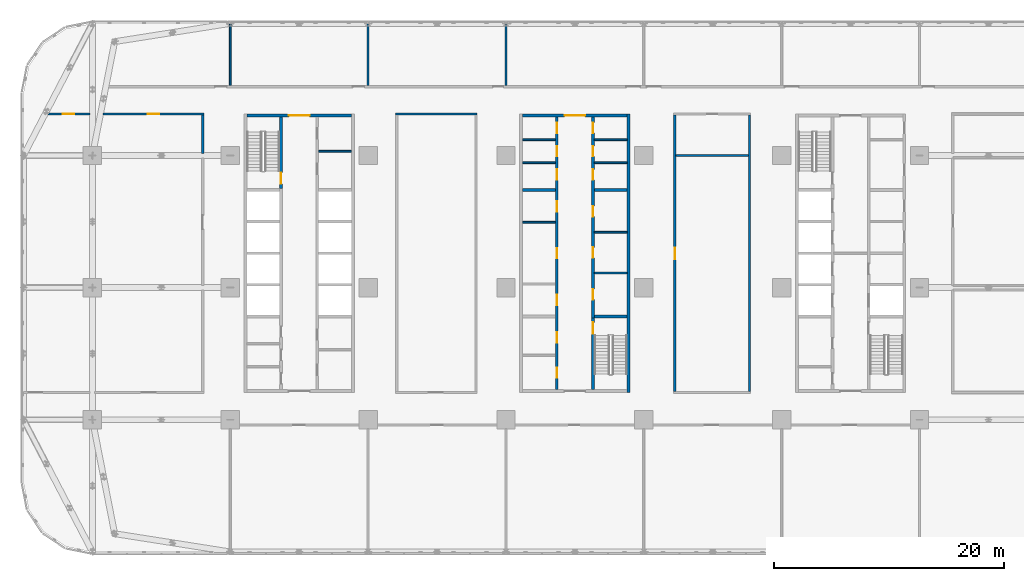
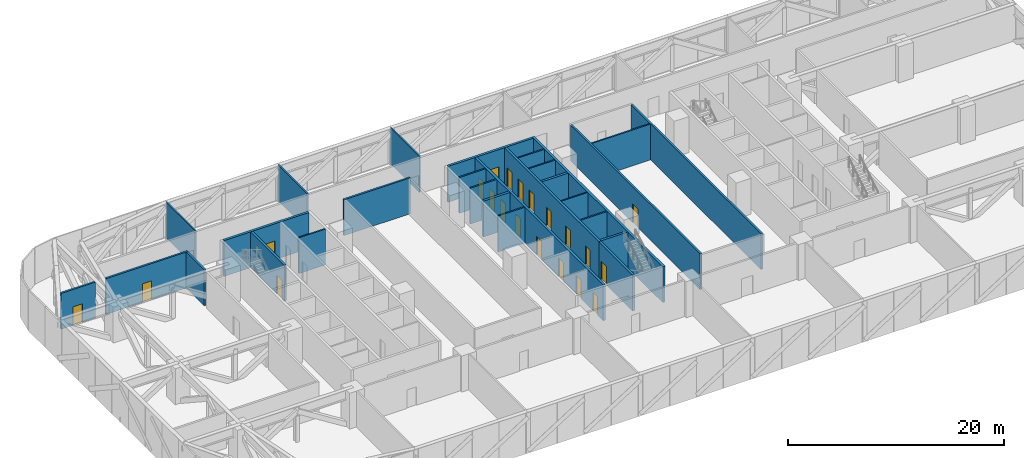
# One storey, part 9 of 25: 28 walls, 21 doors, 21 openings.
"""IFC4 building model written with IfcOpenShell, lengths in metres."""

from ifc_helpers import new_model, si_unit, direction, frame, frame_2d, origin, place, context, subcontext, project, spatial, rectangle, extrude, material, layer, layer_set, type_object, element, fill, save


model = new_model("IFC4")

# Units and contexts
model_context = context("Model", 3, precision=1e-05, world=origin(), true_north=direction((0.0, 1.0)))
body_context = subcontext(model_context, "Body", "Model", "MODEL_VIEW")
ifc_project = project(units=[si_unit("LENGTHUNIT", "METRE"), si_unit("AREAUNIT", "SQUARE_METRE"), si_unit("VOLUMEUNIT", "CUBIC_METRE"), si_unit("PLANEANGLEUNIT", "RADIAN"), si_unit("MASSUNIT", "GRAM", prefix="KILO")], contexts=[model_context])

# Site, building, storey
site_placement = place(None, origin())
site = spatial("IfcSite", under=ifc_project, at=site_placement, CompositionType="ELEMENT")
building_placement = place(site_placement, origin())
building = spatial("IfcBuilding", under=site, at=building_placement, Name="Mahtab Terrace Research Tower", CompositionType="ELEMENT")
storey_placement = place(building_placement, frame((0.0, 0.0, 41.60009765625)))
storey = spatial("IfcBuildingStorey", under=building, at=storey_placement, Name="L09", CompositionType="ELEMENT", Elevation=41.60009765625)

# Walls
ifc_material_1 = material(Name="Gypsum board partition")
ifc_layer_1 = layer(ifc_material_1, 0.14990234375)
ifc_layer_set_1 = layer_set([ifc_layer_1], Name="Core partition 150")
wall_type_1 = type_object("IfcWallType", Name="Core partition 150", PredefinedType="PARTITIONING", material=ifc_layer_set_1)
for number, where, z_axis, x_axis, name in (
    (1, (-22.300048828125, 11.875, 0.0), (0.0, 0.0, 1.0), (1.0, 0.0, 0.0), "Core wall A pEN888"),
    (2, (-4.550048828125, 5.6875, 0.0), (0.0, 0.0, 1.0), (1.0, 0.0, 0.0), "Core wall B pWL269"),
    (3, (1.699951171875, 1.280029296875, 0.0), (0.0, 0.0, 1.0), (1.0, 0.0, 0.0), "Core wall B pEL-172"),
    (4, (1.699951171875, 4.827392578125, 0.0), (0.0, 0.0, 1.0), (1.0, 0.0, 0.0), "Core wall B pEL183"),
    (5, (-4.550048828125, 10.875, 0.0), (0.0, 0.0, 1.0), (1.0, 0.0, 0.0), "Core wall B pWN788"),
    (6, (-4.550048828125, 12.875, 0.0), (0.0, 0.0, 1.0), (1.0, 0.0, 0.0), "Core wall B pWN988"),
    (7, (1.699951171875, 10.875, 0.0), (0.0, 0.0, 1.0), (1.0, 0.0, 0.0), "Core wall B pEN788"),
    (8, (1.699951171875, 12.875, 0.0), (0.0, 0.0, 1.0), (1.0, 0.0, 0.0), "Core wall B pEN988"),
):
    element("IfcWall", number, at=place(storey_placement, frame(where, z_axis=z_axis, x_axis=x_axis)), inside=storey, type_object=wall_type_1, Name=name, PredefinedType="PARTITIONING", context=body_context, shape_type="SweptSolid", body=[
        extrude(rectangle(XDim=2.85009765625, YDim=0.14990234375, at=frame_2d((1.425048828125, 0.0))), origin(), (0.0, 0.0, 1.0), 4.059814453125),
    ])

# Wall, opening, door
ifc_material_2 = material(Name="Concrete C70/85", Category="concrete")
ifc_layer_2 = layer(ifc_material_2, 0.25)
ifc_layer_set_2 = layer_set([ifc_layer_2], Name="Core wall 250")
wall_type_2 = type_object("IfcWallType", Name="Core wall 250", PredefinedType="SOLIDWALL", material=ifc_layer_set_2)
wall_1_placement = place(storey_placement, frame((-28.550048828125, 15.0, 0.0), z_axis=(0.0, 0.0, 1.0), x_axis=(1.0, 0.0, 0.0)))
wall_1 = element("IfcWall", 9, at=wall_1_placement, inside=storey, type_object=wall_type_2, Name="Core wall A endN", PredefinedType="SOLIDWALL", context=body_context, shape_type="SweptSolid", body=[
    extrude(rectangle(XDim=9.10009765625, YDim=0.25, at=frame_2d((4.550048828125, 0.0))), origin(), (0.0, 0.0, 1.0), 4.059814453125),
])
opening_1_placement = place(wall_1_placement, frame((3.64990234375, 0.0, 0.0)))
opening_1 = element("IfcOpeningElement", 10, at=opening_1_placement, cuts=wall_1, Name="Opening A-N1", PredefinedType="OPENING", context=body_context, shape_type="SweptSolid", body=[
    extrude(rectangle(XDim=1.800048828125, YDim=2.10009765625, at=frame_2d((0.89990234375, 1.050048828125))), frame((0.0, 0.135009765625, 0.0), z_axis=(0.0, -1.0, 0.0), x_axis=(1.0, 0.0, 0.0)), (0.0, 0.0, 1.0), 0.27001953125),
])
ifc_material_3 = material(Name="Steel fire door", Category="steel")
door_type_1 = type_object("IfcDoorType", Name="Lobby double door 1800x2100 1 HR", OperationType="DOUBLE_DOOR_SINGLE_SWING", PredefinedType="DOOR", material=ifc_material_3)
door_1_placement = place(opening_1_placement, origin())
door_1 = element("IfcDoor", 11, at=door_1_placement, inside=storey, type_object=door_type_1, Name="Core entrance door A N", OperationType="DOUBLE_DOOR_SINGLE_SWING", OverallHeight=2.10009765625, OverallWidth=1.800048828125, PredefinedType="DOOR", context=body_context, shape_type="SweptSolid", body=[
    extrude(rectangle(XDim=1.800048828125, YDim=2.10009765625, at=frame_2d((0.89990234375, 1.050048828125))), frame((0.0, 0.02490234375, 0.0), z_axis=(0.0, -1.0, 0.0), x_axis=(1.0, 0.0, 0.0)), (0.0, 0.0, 1.0), 0.050048828125),
])
fill(opening_1, door_1)

wall_2_placement = place(storey_placement, frame((-25.574951171875, 14.875, 0.0), z_axis=(0.0, 0.0, 1.0), x_axis=(0.0, -1.0, 0.0)))
wall_2 = element("IfcWall", 12, at=wall_2_placement, inside=storey, type_object=wall_type_2, Name="Core wall A innerWN", PredefinedType="SOLIDWALL", context=body_context, shape_type="SweptSolid", body=[
    extrude(rectangle(XDim=6.25, YDim=0.25, at=frame_2d((3.125, 0.0))), origin(), (0.0, 0.0, 1.0), 4.059814453125),
])
opening_2_placement = place(wall_2_placement, frame((4.85009765625, 0.0, 0.0)))
opening_2 = element("IfcOpeningElement", 13, at=opening_2_placement, cuts=wall_2, Name="Opening A-ST1", PredefinedType="OPENING", context=body_context, shape_type="SweptSolid", body=[
    extrude(rectangle(XDim=1.0, YDim=2.10009765625, at=frame_2d((0.5, 1.050048828125))), frame((0.0, 0.135009765625, 0.0), z_axis=(0.0, -1.0, 0.0), x_axis=(1.0, 0.0, 0.0)), (0.0, 0.0, 1.0), 0.27001953125),
])
door_type_2 = type_object("IfcDoorType", Name="Stair door 1000x2100 1.5 HR", OperationType="NOTDEFINED", PredefinedType="DOOR", material=ifc_material_3)
door_2_placement = place(opening_2_placement, origin())
door_2 = element("IfcDoor", 14, at=door_2_placement, inside=storey, type_object=door_type_2, Name="Stair door ST1 L09", OperationType="SINGLE_SWING_RIGHT", OverallHeight=2.10009765625, OverallWidth=1.0, PredefinedType="DOOR", context=body_context, shape_type="SweptSolid", body=[
    extrude(rectangle(XDim=1.0, YDim=2.10009765625, at=frame_2d((0.5, 1.050048828125))), frame((0.0, 0.02490234375, 0.0), z_axis=(0.0, -1.0, 0.0), x_axis=(1.0, 0.0, 0.0)), (0.0, 0.0, 1.0), 0.050048828125),
])
fill(opening_2, door_2)

# Wall
wall_3_placement = place(storey_placement, frame((4.675048828125, -9.125, 0.0), z_axis=(0.0, 0.0, 1.0), x_axis=(0.0, 1.0, 0.0)))
element("IfcWall", 15, at=wall_3_placement, inside=storey, type_object=wall_type_2, Name="Core wall B outerE", PredefinedType="SOLIDWALL", context=body_context, shape_type="SweptSolid", body=[
    extrude(rectangle(XDim=24.25, YDim=0.25, at=frame_2d((12.125, 0.0))), origin(), (0.0, 0.0, 1.0), 4.059814453125),
])

# Wall, opening, door
wall_4_placement = place(storey_placement, frame((-4.550048828125, 15.0, 0.0), z_axis=(0.0, 0.0, 1.0), x_axis=(1.0, 0.0, 0.0)))
wall_4 = element("IfcWall", 16, at=wall_4_placement, inside=storey, type_object=wall_type_2, Name="Core wall B endN", PredefinedType="SOLIDWALL", context=body_context, shape_type="SweptSolid", body=[
    extrude(rectangle(XDim=9.10009765625, YDim=0.25, at=frame_2d((4.550048828125, 0.0))), origin(), (0.0, 0.0, 1.0), 4.059814453125),
])
opening_3_placement = place(wall_4_placement, frame((3.64990234375, 0.0, 0.0)))
opening_3 = element("IfcOpeningElement", 17, at=opening_3_placement, cuts=wall_4, Name="Opening B-N1", PredefinedType="OPENING", context=body_context, shape_type="SweptSolid", body=[
    extrude(rectangle(XDim=1.800048828125, YDim=2.10009765625, at=frame_2d((0.89990234375, 1.050048828125))), frame((0.0, 0.135009765625, 0.0), z_axis=(0.0, -1.0, 0.0), x_axis=(1.0, 0.0, 0.0)), (0.0, 0.0, 1.0), 0.27001953125),
])
door_3_placement = place(opening_3_placement, origin())
door_3 = element("IfcDoor", 18, at=door_3_placement, inside=storey, type_object=door_type_1, Name="Core entrance door B N", OperationType="DOUBLE_DOOR_SINGLE_SWING", OverallHeight=2.10009765625, OverallWidth=1.800048828125, PredefinedType="DOOR", context=body_context, shape_type="SweptSolid", body=[
    extrude(rectangle(XDim=1.800048828125, YDim=2.10009765625, at=frame_2d((0.89990234375, 1.050048828125))), frame((0.0, 0.02490234375, 0.0), z_axis=(0.0, -1.0, 0.0), x_axis=(1.0, 0.0, 0.0)), (0.0, 0.0, 1.0), 0.050048828125),
])
fill(opening_3, door_3)

# Wall, openings, doors
wall_5_placement = place(storey_placement, frame((-1.574951171875, -8.875, 0.0), z_axis=(0.0, 0.0, 1.0), x_axis=(0.0, 1.0, 0.0)))
wall_5 = element("IfcWall", 19, at=wall_5_placement, inside=storey, type_object=wall_type_2, Name="Core wall B innerWSLN", PredefinedType="SOLIDWALL", context=body_context, shape_type="SweptSolid", body=[
    extrude(rectangle(XDim=23.75, YDim=0.25, at=frame_2d((11.875, 0.0))), origin(), (0.0, 0.0, 1.0), 4.059814453125),
])
opening_4_placement = place(wall_5_placement, frame((7.356201171875, 0.0, 0.0)))
opening_4 = element("IfcOpeningElement", 20, at=opening_4_placement, cuts=wall_5, Name="Opening B-R1", PredefinedType="OPENING", context=body_context, shape_type="SweptSolid", body=[
    extrude(rectangle(XDim=0.89990234375, YDim=2.10009765625, at=frame_2d((0.449951171875, 1.050048828125))), frame((0.0, 0.135009765625, 0.0), z_axis=(0.0, -1.0, 0.0), x_axis=(1.0, 0.0, 0.0)), (0.0, 0.0, 1.0), 0.27001953125),
])
opening_5_placement = place(wall_5_placement, frame((11.425048828125, 0.0, 0.0)))
opening_5 = element("IfcOpeningElement", 21, at=opening_5_placement, cuts=wall_5, Name="Opening B-R2", PredefinedType="OPENING", context=body_context, shape_type="SweptSolid", body=[
    extrude(rectangle(XDim=0.89990234375, YDim=2.10009765625, at=frame_2d((0.449951171875, 1.050048828125))), frame((0.0, 0.135009765625, 0.0), z_axis=(0.0, -1.0, 0.0), x_axis=(1.0, 0.0, 0.0)), (0.0, 0.0, 1.0), 0.27001953125),
])
opening_6_placement = place(wall_5_placement, frame((15.493896484375, 0.0, 0.0)))
opening_6 = element("IfcOpeningElement", 22, at=opening_6_placement, cuts=wall_5, Name="Opening B-R3", PredefinedType="OPENING", context=body_context, shape_type="SweptSolid", body=[
    extrude(rectangle(XDim=0.89990234375, YDim=2.10009765625, at=frame_2d((0.449951171875, 1.050048828125))), frame((0.0, 0.135009765625, 0.0), z_axis=(0.0, -1.0, 0.0), x_axis=(1.0, 0.0, 0.0)), (0.0, 0.0, 1.0), 0.27001953125),
])
opening_7_placement = place(wall_5_placement, frame((1.012451171875, 0.0, 0.0)))
opening_7 = element("IfcOpeningElement", 23, at=opening_7_placement, cuts=wall_5, Name="Opening B-R7", PredefinedType="OPENING", context=body_context, shape_type="SweptSolid", body=[
    extrude(rectangle(XDim=0.89990234375, YDim=2.10009765625, at=frame_2d((0.449951171875, 1.050048828125))), frame((0.0, 0.135009765625, 0.0), z_axis=(0.0, -1.0, 0.0), x_axis=(1.0, 0.0, 0.0)), (0.0, 0.0, 1.0), 0.27001953125),
])
opening_8_placement = place(wall_5_placement, frame((4.08740234375, 0.0, 0.0)))
opening_8 = element("IfcOpeningElement", 24, at=opening_8_placement, cuts=wall_5, Name="Opening B-R8", PredefinedType="OPENING", context=body_context, shape_type="SweptSolid", body=[
    extrude(rectangle(XDim=0.89990234375, YDim=2.10009765625, at=frame_2d((0.449951171875, 1.050048828125))), frame((0.0, 0.135009765625, 0.0), z_axis=(0.0, -1.0, 0.0), x_axis=(1.0, 0.0, 0.0)), (0.0, 0.0, 1.0), 0.27001953125),
])
opening_9_placement = place(wall_5_placement, frame((18.262451171875, 0.0, 0.0)))
opening_9 = element("IfcOpeningElement", 25, at=opening_9_placement, cuts=wall_5, Name="Opening B-R9", PredefinedType="OPENING", context=body_context, shape_type="SweptSolid", body=[
    extrude(rectangle(XDim=0.89990234375, YDim=2.10009765625, at=frame_2d((0.449951171875, 1.050048828125))), frame((0.0, 0.135009765625, 0.0), z_axis=(0.0, -1.0, 0.0), x_axis=(1.0, 0.0, 0.0)), (0.0, 0.0, 1.0), 0.27001953125),
])
opening_10_placement = place(wall_5_placement, frame((20.300048828125, 0.0, 0.0)))
opening_10 = element("IfcOpeningElement", 26, at=opening_10_placement, cuts=wall_5, Name="Opening B-R10", PredefinedType="OPENING", context=body_context, shape_type="SweptSolid", body=[
    extrude(rectangle(XDim=0.89990234375, YDim=2.10009765625, at=frame_2d((0.449951171875, 1.050048828125))), frame((0.0, 0.135009765625, 0.0), z_axis=(0.0, -1.0, 0.0), x_axis=(1.0, 0.0, 0.0)), (0.0, 0.0, 1.0), 0.27001953125),
])
opening_11_placement = place(wall_5_placement, frame((22.33740234375, 0.0, 0.0)))
opening_11 = element("IfcOpeningElement", 27, at=opening_11_placement, cuts=wall_5, Name="Opening B-R11", PredefinedType="OPENING", context=body_context, shape_type="SweptSolid", body=[
    extrude(rectangle(XDim=0.89990234375, YDim=2.10009765625, at=frame_2d((0.449951171875, 1.050048828125))), frame((0.0, 0.135009765625, 0.0), z_axis=(0.0, -1.0, 0.0), x_axis=(1.0, 0.0, 0.0)), (0.0, 0.0, 1.0), 0.27001953125),
])
door_type_3 = type_object("IfcDoorType", Name="Room door 900x2100 1 HR", OperationType="NOTDEFINED", PredefinedType="DOOR", material=ifc_material_3)
door_4_placement = place(opening_4_placement, origin())
door_4 = element("IfcDoor", 28, at=door_4_placement, inside=storey, type_object=door_type_3, Name="Comms room door", OperationType="SINGLE_SWING_LEFT", OverallHeight=2.10009765625, OverallWidth=0.89990234375, PredefinedType="DOOR", context=body_context, shape_type="SweptSolid", body=[
    extrude(rectangle(XDim=0.89990234375, YDim=2.10009765625, at=frame_2d((0.449951171875, 1.050048828125))), frame((0.0, 0.02490234375, 0.0), z_axis=(0.0, -1.0, 0.0), x_axis=(1.0, 0.0, 0.0)), (0.0, 0.0, 1.0), 0.050048828125),
])
fill(opening_4, door_4)
door_5_placement = place(opening_5_placement, origin())
door_5 = element("IfcDoor", 29, at=door_5_placement, inside=storey, type_object=door_type_3, Name="Meeting alcove door", OperationType="SINGLE_SWING_RIGHT", OverallHeight=2.10009765625, OverallWidth=0.89990234375, PredefinedType="DOOR", context=body_context, shape_type="SweptSolid", body=[
    extrude(rectangle(XDim=0.89990234375, YDim=2.10009765625, at=frame_2d((0.449951171875, 1.050048828125))), frame((0.0, 0.02490234375, 0.0), z_axis=(0.0, -1.0, 0.0), x_axis=(1.0, 0.0, 0.0)), (0.0, 0.0, 1.0), 0.050048828125),
])
fill(opening_5, door_5)
door_6_placement = place(opening_6_placement, origin())
door_6 = element("IfcDoor", 30, at=door_6_placement, inside=storey, type_object=door_type_3, Name="Linen store door", OperationType="SINGLE_SWING_LEFT", OverallHeight=2.10009765625, OverallWidth=0.89990234375, PredefinedType="DOOR", context=body_context, shape_type="SweptSolid", body=[
    extrude(rectangle(XDim=0.89990234375, YDim=2.10009765625, at=frame_2d((0.449951171875, 1.050048828125))), frame((0.0, 0.02490234375, 0.0), z_axis=(0.0, -1.0, 0.0), x_axis=(1.0, 0.0, 0.0)), (0.0, 0.0, 1.0), 0.050048828125),
])
fill(opening_6, door_6)
door_7_placement = place(opening_7_placement, origin())
door_7 = element("IfcDoor", 31, at=door_7_placement, inside=storey, type_object=door_type_3, Name="Housekeeping store door", OperationType="SINGLE_SWING_LEFT", OverallHeight=2.10009765625, OverallWidth=0.89990234375, PredefinedType="DOOR", context=body_context, shape_type="SweptSolid", body=[
    extrude(rectangle(XDim=0.89990234375, YDim=2.10009765625, at=frame_2d((0.449951171875, 1.050048828125))), frame((0.0, 0.02490234375, 0.0), z_axis=(0.0, -1.0, 0.0), x_axis=(1.0, 0.0, 0.0)), (0.0, 0.0, 1.0), 0.050048828125),
])
fill(opening_7, door_7)
door_8_placement = place(opening_8_placement, origin())
door_8 = element("IfcDoor", 32, at=door_8_placement, inside=storey, type_object=door_type_3, Name="Electrical riser room door", OperationType="SINGLE_SWING_RIGHT", OverallHeight=2.10009765625, OverallWidth=0.89990234375, PredefinedType="DOOR", context=body_context, shape_type="SweptSolid", body=[
    extrude(rectangle(XDim=0.89990234375, YDim=2.10009765625, at=frame_2d((0.449951171875, 1.050048828125))), frame((0.0, 0.02490234375, 0.0), z_axis=(0.0, -1.0, 0.0), x_axis=(1.0, 0.0, 0.0)), (0.0, 0.0, 1.0), 0.050048828125),
])
fill(opening_8, door_8)
door_9_placement = place(opening_9_placement, origin())
door_9 = element("IfcDoor", 33, at=door_9_placement, inside=storey, type_object=door_type_3, Name="Comms riser room door", OperationType="SINGLE_SWING_LEFT", OverallHeight=2.10009765625, OverallWidth=0.89990234375, PredefinedType="DOOR", context=body_context, shape_type="SweptSolid", body=[
    extrude(rectangle(XDim=0.89990234375, YDim=2.10009765625, at=frame_2d((0.449951171875, 1.050048828125))), frame((0.0, 0.02490234375, 0.0), z_axis=(0.0, -1.0, 0.0), x_axis=(1.0, 0.0, 0.0)), (0.0, 0.0, 1.0), 0.050048828125),
])
fill(opening_9, door_9)
door_10_placement = place(opening_10_placement, origin())
door_10 = element("IfcDoor", 34, at=door_10_placement, inside=storey, type_object=door_type_3, Name="Pantry door", OperationType="SINGLE_SWING_RIGHT", OverallHeight=2.10009765625, OverallWidth=0.89990234375, PredefinedType="DOOR", context=body_context, shape_type="SweptSolid", body=[
    extrude(rectangle(XDim=0.89990234375, YDim=2.10009765625, at=frame_2d((0.449951171875, 1.050048828125))), frame((0.0, 0.02490234375, 0.0), z_axis=(0.0, -1.0, 0.0), x_axis=(1.0, 0.0, 0.0)), (0.0, 0.0, 1.0), 0.050048828125),
])
fill(opening_10, door_10)
door_11_placement = place(opening_11_placement, origin())
door_11 = element("IfcDoor", 35, at=door_11_placement, inside=storey, type_object=door_type_3, Name="Cleaners store door", OperationType="SINGLE_SWING_LEFT", OverallHeight=2.10009765625, OverallWidth=0.89990234375, PredefinedType="DOOR", context=body_context, shape_type="SweptSolid", body=[
    extrude(rectangle(XDim=0.89990234375, YDim=2.10009765625, at=frame_2d((0.449951171875, 1.050048828125))), frame((0.0, 0.02490234375, 0.0), z_axis=(0.0, -1.0, 0.0), x_axis=(1.0, 0.0, 0.0)), (0.0, 0.0, 1.0), 0.050048828125),
])
fill(opening_11, door_11)

# Wall, opening, door
wall_6_placement = place(storey_placement, frame((1.574951171875, -8.875, 0.0), z_axis=(0.0, 0.0, 1.0), x_axis=(0.0, 1.0, 0.0)))
wall_6 = element("IfcWall", 36, at=wall_6_placement, inside=storey, type_object=wall_type_2, Name="Core wall B innerES", PredefinedType="SOLIDWALL", context=body_context, shape_type="SweptSolid", body=[
    extrude(rectangle(XDim=6.25, YDim=0.25, at=frame_2d((3.125, 0.0))), origin(), (0.0, 0.0, 1.0), 4.059814453125),
])
opening_12_placement = place(wall_6_placement, frame((4.85009765625, 0.0, 0.0)))
opening_12 = element("IfcOpeningElement", 37, at=opening_12_placement, cuts=wall_6, Name="Opening B-ST2", PredefinedType="OPENING", context=body_context, shape_type="SweptSolid", body=[
    extrude(rectangle(XDim=1.0, YDim=2.10009765625, at=frame_2d((0.5, 1.050048828125))), frame((0.0, 0.135009765625, 0.0), z_axis=(0.0, -1.0, 0.0), x_axis=(1.0, 0.0, 0.0)), (0.0, 0.0, 1.0), 0.27001953125),
])
door_12_placement = place(opening_12_placement, origin())
door_12 = element("IfcDoor", 38, at=door_12_placement, inside=storey, type_object=door_type_2, Name="Stair door ST2 L09", OperationType="SINGLE_SWING_LEFT", OverallHeight=2.10009765625, OverallWidth=1.0, PredefinedType="DOOR", context=body_context, shape_type="SweptSolid", body=[
    extrude(rectangle(XDim=1.0, YDim=2.10009765625, at=frame_2d((0.5, 1.050048828125))), frame((0.0, 0.02490234375, 0.0), z_axis=(0.0, -1.0, 0.0), x_axis=(1.0, 0.0, 0.0)), (0.0, 0.0, 1.0), 0.050048828125),
])
fill(opening_12, door_12)

# Wall, openings, doors
wall_7_placement = place(storey_placement, frame((1.574951171875, 14.875, 0.0), z_axis=(0.0, 0.0, 1.0), x_axis=(0.0, -1.0, 0.0)))
wall_7 = element("IfcWall", 39, at=wall_7_placement, inside=storey, type_object=wall_type_2, Name="Core wall B innerELN", PredefinedType="SOLIDWALL", context=body_context, shape_type="SweptSolid", body=[
    extrude(rectangle(XDim=17.5, YDim=0.25, at=frame_2d((8.75, 0.0))), origin(), (0.0, 0.0, 1.0), 4.059814453125),
])
opening_13_placement = place(wall_7_placement, frame((15.010009765625, 0.0, 0.0)))
opening_13 = element("IfcOpeningElement", 40, at=opening_13_placement, cuts=wall_7, Name="Opening B-R4", PredefinedType="OPENING", context=body_context, shape_type="SweptSolid", body=[
    extrude(rectangle(XDim=0.89990234375, YDim=2.10009765625, at=frame_2d((0.449951171875, 1.050048828125))), frame((0.0, 0.135009765625, 0.0), z_axis=(0.0, -1.0, 0.0), x_axis=(1.0, 0.0, 0.0)), (0.0, 0.0, 1.0), 0.27001953125),
])
opening_14_placement = place(wall_7_placement, frame((11.37109375, 0.0, 0.0)))
opening_14 = element("IfcOpeningElement", 41, at=opening_14_placement, cuts=wall_7, Name="Opening B-R5", PredefinedType="OPENING", context=body_context, shape_type="SweptSolid", body=[
    extrude(rectangle(XDim=0.89990234375, YDim=2.10009765625, at=frame_2d((0.449951171875, 1.050048828125))), frame((0.0, 0.135009765625, 0.0), z_axis=(0.0, -1.0, 0.0), x_axis=(1.0, 0.0, 0.0)), (0.0, 0.0, 1.0), 0.27001953125),
])
opening_15_placement = place(wall_7_placement, frame((7.7861328125, 0.0, 0.0)))
opening_15 = element("IfcOpeningElement", 42, at=opening_15_placement, cuts=wall_7, Name="Opening B-R6", PredefinedType="OPENING", context=body_context, shape_type="SweptSolid", body=[
    extrude(rectangle(XDim=0.89990234375, YDim=2.10009765625, at=frame_2d((0.449951171875, 1.050048828125))), frame((0.0, 0.135009765625, 0.0), z_axis=(0.0, -1.0, 0.0), x_axis=(1.0, 0.0, 0.0)), (0.0, 0.0, 1.0), 0.27001953125),
])
opening_16_placement = place(wall_7_placement, frame((4.58740234375, 0.0, 0.0)))
opening_16 = element("IfcOpeningElement", 43, at=opening_16_placement, cuts=wall_7, Name="Opening B-R12", PredefinedType="OPENING", context=body_context, shape_type="SweptSolid", body=[
    extrude(rectangle(XDim=0.89990234375, YDim=2.10009765625, at=frame_2d((0.449951171875, 1.050048828125))), frame((0.0, 0.135009765625, 0.0), z_axis=(0.0, -1.0, 0.0), x_axis=(1.0, 0.0, 0.0)), (0.0, 0.0, 1.0), 0.27001953125),
])
opening_17_placement = place(wall_7_placement, frame((2.550048828125, 0.0, 0.0)))
opening_17 = element("IfcOpeningElement", 44, at=opening_17_placement, cuts=wall_7, Name="Opening B-R13", PredefinedType="OPENING", context=body_context, shape_type="SweptSolid", body=[
    extrude(rectangle(XDim=0.89990234375, YDim=2.10009765625, at=frame_2d((0.449951171875, 1.050048828125))), frame((0.0, 0.135009765625, 0.0), z_axis=(0.0, -1.0, 0.0), x_axis=(1.0, 0.0, 0.0)), (0.0, 0.0, 1.0), 0.27001953125),
])
opening_18_placement = place(wall_7_placement, frame((0.512451171875, 0.0, 0.0)))
opening_18 = element("IfcOpeningElement", 45, at=opening_18_placement, cuts=wall_7, Name="Opening B-R14", PredefinedType="OPENING", context=body_context, shape_type="SweptSolid", body=[
    extrude(rectangle(XDim=0.89990234375, YDim=2.10009765625, at=frame_2d((0.449951171875, 1.050048828125))), frame((0.0, 0.135009765625, 0.0), z_axis=(0.0, -1.0, 0.0), x_axis=(1.0, 0.0, 0.0)), (0.0, 0.0, 1.0), 0.27001953125),
])
door_13_placement = place(opening_13_placement, origin())
door_13 = element("IfcDoor", 46, at=door_13_placement, inside=storey, type_object=door_type_3, Name="Battery room door", OperationType="SINGLE_SWING_RIGHT", OverallHeight=2.10009765625, OverallWidth=0.89990234375, PredefinedType="DOOR", context=body_context, shape_type="SweptSolid", body=[
    extrude(rectangle(XDim=0.89990234375, YDim=2.10009765625, at=frame_2d((0.449951171875, 1.050048828125))), frame((0.0, 0.02490234375, 0.0), z_axis=(0.0, -1.0, 0.0), x_axis=(1.0, 0.0, 0.0)), (0.0, 0.0, 1.0), 0.050048828125),
])
fill(opening_13, door_13)
door_14_placement = place(opening_14_placement, origin())
door_14 = element("IfcDoor", 47, at=door_14_placement, inside=storey, type_object=door_type_3, Name="Cooling plant room door", OperationType="SINGLE_SWING_LEFT", OverallHeight=2.10009765625, OverallWidth=0.89990234375, PredefinedType="DOOR", context=body_context, shape_type="SweptSolid", body=[
    extrude(rectangle(XDim=0.89990234375, YDim=2.10009765625, at=frame_2d((0.449951171875, 1.050048828125))), frame((0.0, 0.02490234375, 0.0), z_axis=(0.0, -1.0, 0.0), x_axis=(1.0, 0.0, 0.0)), (0.0, 0.0, 1.0), 0.050048828125),
])
fill(opening_14, door_14)
door_15_placement = place(opening_15_placement, origin())
door_15 = element("IfcDoor", 48, at=door_15_placement, inside=storey, type_object=door_type_3, Name="Spare parts store door", OperationType="SINGLE_SWING_RIGHT", OverallHeight=2.10009765625, OverallWidth=0.89990234375, PredefinedType="DOOR", context=body_context, shape_type="SweptSolid", body=[
    extrude(rectangle(XDim=0.89990234375, YDim=2.10009765625, at=frame_2d((0.449951171875, 1.050048828125))), frame((0.0, 0.02490234375, 0.0), z_axis=(0.0, -1.0, 0.0), x_axis=(1.0, 0.0, 0.0)), (0.0, 0.0, 1.0), 0.050048828125),
])
fill(opening_15, door_15)
door_16_placement = place(opening_16_placement, origin())
door_16 = element("IfcDoor", 49, at=door_16_placement, inside=storey, type_object=door_type_3, Name="Male WC door", OperationType="SINGLE_SWING_RIGHT", OverallHeight=2.10009765625, OverallWidth=0.89990234375, PredefinedType="DOOR", context=body_context, shape_type="SweptSolid", body=[
    extrude(rectangle(XDim=0.89990234375, YDim=2.10009765625, at=frame_2d((0.449951171875, 1.050048828125))), frame((0.0, 0.02490234375, 0.0), z_axis=(0.0, -1.0, 0.0), x_axis=(1.0, 0.0, 0.0)), (0.0, 0.0, 1.0), 0.050048828125),
])
fill(opening_16, door_16)
door_17_placement = place(opening_17_placement, origin())
door_17 = element("IfcDoor", 50, at=door_17_placement, inside=storey, type_object=door_type_3, Name="Female WC door", OperationType="SINGLE_SWING_LEFT", OverallHeight=2.10009765625, OverallWidth=0.89990234375, PredefinedType="DOOR", context=body_context, shape_type="SweptSolid", body=[
    extrude(rectangle(XDim=0.89990234375, YDim=2.10009765625, at=frame_2d((0.449951171875, 1.050048828125))), frame((0.0, 0.02490234375, 0.0), z_axis=(0.0, -1.0, 0.0), x_axis=(1.0, 0.0, 0.0)), (0.0, 0.0, 1.0), 0.050048828125),
])
fill(opening_17, door_17)
door_18_placement = place(opening_18_placement, origin())
door_18 = element("IfcDoor", 51, at=door_18_placement, inside=storey, type_object=door_type_3, Name="Accessible WC door", OperationType="SINGLE_SWING_RIGHT", OverallHeight=2.10009765625, OverallWidth=0.89990234375, PredefinedType="DOOR", context=body_context, shape_type="SweptSolid", body=[
    extrude(rectangle(XDim=0.89990234375, YDim=2.10009765625, at=frame_2d((0.449951171875, 1.050048828125))), frame((0.0, 0.02490234375, 0.0), z_axis=(0.0, -1.0, 0.0), x_axis=(1.0, 0.0, 0.0)), (0.0, 0.0, 1.0), 0.050048828125),
])
fill(opening_18, door_18)

# Walls
for number, where, z_axis, x_axis, name in (
    (52, (-4.550048828125, 8.5, 0.0), (0.0, 0.0, 1.0), (1.0, 0.0, 0.0), "Core wall B divW4"),
    (53, (1.699951171875, -2.5, 0.0), (0.0, 0.0, 1.0), (1.0, 0.0, 0.0), "Core wall B divE0"),
    (54, (1.699951171875, 8.5, 0.0), (0.0, 0.0, 1.0), (1.0, 0.0, 0.0), "Core wall B divE4"),
):
    element("IfcWall", number, at=place(storey_placement, frame(where, z_axis=z_axis, x_axis=x_axis)), inside=storey, type_object=wall_type_2, Name=name, PredefinedType="SOLIDWALL", context=body_context, shape_type="SweptSolid", body=[
        extrude(rectangle(XDim=2.85009765625, YDim=0.25, at=frame_2d((1.425048828125, 0.0))), origin(), (0.0, 0.0, 1.0), 4.059814453125),
    ])

# Wall, opening, door
ifc_material_4 = material(Name="Gypsum board corridor wall on steel studs", Category="steel")
ifc_layer_3 = layer(ifc_material_4, 0.199951171875)
ifc_layer_set_3 = layer_set([ifc_layer_3], Name="WALL CORRIDOR 200")
wall_type_3 = type_object("IfcWallType", Name="WALL CORRIDOR 200", PredefinedType="PARTITIONING", material=ifc_layer_set_3)
wall_8_placement = place(storey_placement, frame((-45.8828125, 15.125, 0.0), z_axis=(0.0, 0.0, 1.0), x_axis=(1.0, 0.0, 0.0)))
wall_8 = element("IfcWall", 55, at=wall_8_placement, inside=storey, type_object=wall_type_3, Name="L09-W018", PredefinedType="PARTITIONING", context=body_context, shape_type="SweptSolid", body=[
    extrude(rectangle(XDim=3.682861328125, YDim=0.199951171875, at=frame_2d((1.84130859375, 0.0))), origin(), (0.0, 0.0, 1.0), 4.059814453125),
])
opening_19_placement = place(wall_8_placement, frame((1.300048828125, 0.0, 0.0)))
opening_19 = element("IfcOpeningElement", 56, at=opening_19_placement, cuts=wall_8, Name="Opening L09-113", PredefinedType="OPENING", context=body_context, shape_type="SweptSolid", body=[
    extrude(rectangle(XDim=1.0, YDim=2.10009765625, at=frame_2d((0.5, 1.050048828125))), frame((0.0, 0.10986328125, 0.0), z_axis=(0.0, -1.0, 0.0), x_axis=(1.0, 0.0, 0.0)), (0.0, 0.0, 1.0), 0.219970703125),
])
ifc_material_5 = material(Name="Timber door leaf in steel frame", Category="steel")
door_type_4 = type_object("IfcDoorType", Name="DOOR 1000X2100 FD30S", OperationType="SINGLE_SWING_LEFT", PredefinedType="DOOR", material=ifc_material_5)
door_19_placement = place(opening_19_placement, origin())
door_19 = element("IfcDoor", 57, at=door_19_placement, inside=storey, type_object=door_type_4, Name="Door L09-113", OperationType="SINGLE_SWING_RIGHT", OverallHeight=2.10009765625, OverallWidth=1.0, PredefinedType="DOOR", context=body_context, shape_type="SweptSolid", body=[
    extrude(rectangle(XDim=1.0, YDim=2.10009765625, at=frame_2d((0.5, 1.050048828125))), frame((0.0, 0.02490234375, 0.0), z_axis=(0.0, -1.0, 0.0), x_axis=(1.0, 0.0, 0.0)), (0.0, 0.0, 1.0), 0.050048828125),
])
fill(opening_19, door_19)

wall_9_placement = place(storey_placement, frame((-41.087646484375, 15.125, 0.0), z_axis=(0.0, 0.0, 1.0), x_axis=(1.0, 0.0, 0.0)))
wall_9 = element("IfcWall", 58, at=wall_9_placement, inside=storey, type_object=wall_type_3, Name="L09-W019", PredefinedType="PARTITIONING", context=body_context, shape_type="SweptSolid", body=[
    extrude(rectangle(XDim=8.78759765625, YDim=0.199951171875, at=frame_2d((4.393798828125, 0.0))), origin(), (0.0, 0.0, 1.0), 4.059814453125),
])
opening_20_placement = place(wall_9_placement, frame((3.89990234375, 0.0, 0.0)))
opening_20 = element("IfcOpeningElement", 59, at=opening_20_placement, cuts=wall_9, Name="Opening L09-114", PredefinedType="OPENING", context=body_context, shape_type="SweptSolid", body=[
    extrude(rectangle(XDim=1.0, YDim=2.10009765625, at=frame_2d((0.5, 1.050048828125))), frame((0.0, 0.10986328125, 0.0), z_axis=(0.0, -1.0, 0.0), x_axis=(1.0, 0.0, 0.0)), (0.0, 0.0, 1.0), 0.219970703125),
])
door_20_placement = place(opening_20_placement, origin())
door_20 = element("IfcDoor", 60, at=door_20_placement, inside=storey, type_object=door_type_4, Name="Door L09-114", OperationType="SINGLE_SWING_LEFT", OverallHeight=2.10009765625, OverallWidth=1.0, PredefinedType="DOOR", context=body_context, shape_type="SweptSolid", body=[
    extrude(rectangle(XDim=1.0, YDim=2.10009765625, at=frame_2d((0.5, 1.050048828125))), frame((0.0, 0.02490234375, 0.0), z_axis=(0.0, -1.0, 0.0), x_axis=(1.0, 0.0, 0.0)), (0.0, 0.0, 1.0), 0.050048828125),
])
fill(opening_20, door_20)

# Walls
wall_10_placement = place(storey_placement, frame((-15.60009765625, 15.125, 0.0), z_axis=(0.0, 0.0, 1.0), x_axis=(1.0, 0.0, 0.0)))
element("IfcWall", 61, at=wall_10_placement, inside=storey, type_object=wall_type_3, Name="L09-W020", PredefinedType="PARTITIONING", context=body_context, shape_type="SweptSolid", body=[
    extrude(rectangle(XDim=7.10009765625, YDim=0.199951171875, at=frame_2d((3.550048828125, 0.0))), origin(), (0.0, 0.0, 1.0), 4.059814453125),
])
wall_11_placement = place(storey_placement, frame((-32.39990234375, 11.699951171875, 0.0), z_axis=(0.0, 0.0, 1.0), x_axis=(0.0, 1.0, 0.0)))
element("IfcWall", 62, at=wall_11_placement, inside=storey, type_object=wall_type_3, Name="L09-W026", PredefinedType="PARTITIONING", context=body_context, shape_type="SweptSolid", body=[
    extrude(rectangle(XDim=3.324951171875, YDim=0.199951171875, at=frame_2d((1.66259765625, 0.0))), origin(), (0.0, 0.0, 1.0), 4.059814453125),
])

# Wall, opening, door
wall_12_placement = place(storey_placement, frame((8.699951171875, -9.02490234375, 0.0), z_axis=(0.0, 0.0, 1.0), x_axis=(0.0, 1.0, 0.0)))
wall_12 = element("IfcWall", 63, at=wall_12_placement, inside=storey, type_object=wall_type_3, Name="L09-W037", PredefinedType="PARTITIONING", context=body_context, shape_type="SweptSolid", body=[
    extrude(rectangle(XDim=24.0498046875, YDim=0.199951171875, at=frame_2d((12.02490234375, 0.0))), origin(), (0.0, 0.0, 1.0), 4.059814453125),
])
opening_21_placement = place(wall_12_placement, frame((11.5, 0.0, 0.0)))
opening_21 = element("IfcOpeningElement", 64, at=opening_21_placement, cuts=wall_12, Name="Opening L09-111", PredefinedType="OPENING", context=body_context, shape_type="SweptSolid", body=[
    extrude(rectangle(XDim=1.0, YDim=2.10009765625, at=frame_2d((0.5, 1.050048828125))), frame((0.0, 0.10986328125, 0.0), z_axis=(0.0, -1.0, 0.0), x_axis=(1.0, 0.0, 0.0)), (0.0, 0.0, 1.0), 0.219970703125),
])
door_21_placement = place(opening_21_placement, origin())
door_21 = element("IfcDoor", 65, at=door_21_placement, inside=storey, type_object=door_type_4, Name="Door L09-111", OperationType="SINGLE_SWING_RIGHT", OverallHeight=2.10009765625, OverallWidth=1.0, PredefinedType="DOOR", context=body_context, shape_type="SweptSolid", body=[
    extrude(rectangle(XDim=1.0, YDim=2.10009765625, at=frame_2d((0.5, 1.050048828125))), frame((0.0, 0.02490234375, 0.0), z_axis=(0.0, -1.0, 0.0), x_axis=(1.0, 0.0, 0.0)), (0.0, 0.0, 1.0), 0.050048828125),
])
fill(opening_21, door_21)

# Walls
wall_13_placement = place(storey_placement, frame((15.199951171875, -9.02490234375, 0.0), z_axis=(0.0, 0.0, 1.0), x_axis=(0.0, 1.0, 0.0)))
element("IfcWall", 66, at=wall_13_placement, inside=storey, type_object=wall_type_3, Name="L09-W038", PredefinedType="PARTITIONING", context=body_context, shape_type="SweptSolid", body=[
    extrude(rectangle(XDim=24.0498046875, YDim=0.199951171875, at=frame_2d((12.02490234375, 0.0))), origin(), (0.0, 0.0, 1.0), 4.059814453125),
])
ifc_material_6 = material(Name="Gypsum board partition on steel studs", Category="steel")
ifc_layer_4 = layer(ifc_material_6, 0.14990234375)
ifc_layer_set_4 = layer_set([ifc_layer_4], Name="WALL PARTITION 150")
wall_type_4 = type_object("IfcWallType", Name="WALL PARTITION 150", PredefinedType="PARTITIONING", material=ifc_layer_set_4)
wall_14_placement = place(storey_placement, frame((8.800048828125, 11.5, 0.0), z_axis=(0.0, 0.0, 1.0), x_axis=(1.0, 0.0, 0.0)))
element("IfcWall", 67, at=wall_14_placement, inside=storey, type_object=wall_type_4, Name="L09-W017", PredefinedType="PARTITIONING", context=body_context, shape_type="SweptSolid", body=[
    extrude(rectangle(XDim=6.300048828125, YDim=0.14990234375, at=frame_2d((3.14990234375, 0.0))), origin(), (0.0, 0.0, 1.0), 4.059814453125),
])
for number, where, z_axis, x_axis, name in (
    (68, (-30.0, 17.60009765625, 0.0), (0.0, 0.0, 1.0), (0.0, 1.0, 0.0), "L09-W028"),
    (69, (-18.0, 17.60009765625, 0.0), (0.0, 0.0, 1.0), (0.0, 1.0, 0.0), "L09-W030"),
    (70, (-6.0, 17.60009765625, 0.0), (0.0, 0.0, 1.0), (0.0, 1.0, 0.0), "L09-W034"),
):
    element("IfcWall", number, at=place(storey_placement, frame(where, z_axis=z_axis, x_axis=x_axis)), inside=storey, type_object=wall_type_4, Name=name, PredefinedType="PARTITIONING", context=body_context, shape_type="SweptSolid", body=[
        extrude(rectangle(XDim=5.39990234375, YDim=0.14990234375, at=frame_2d((2.699951171875, 0.0))), origin(), (0.0, 0.0, 1.0), 4.059814453125),
    ])

save(model, "model.ifc")
